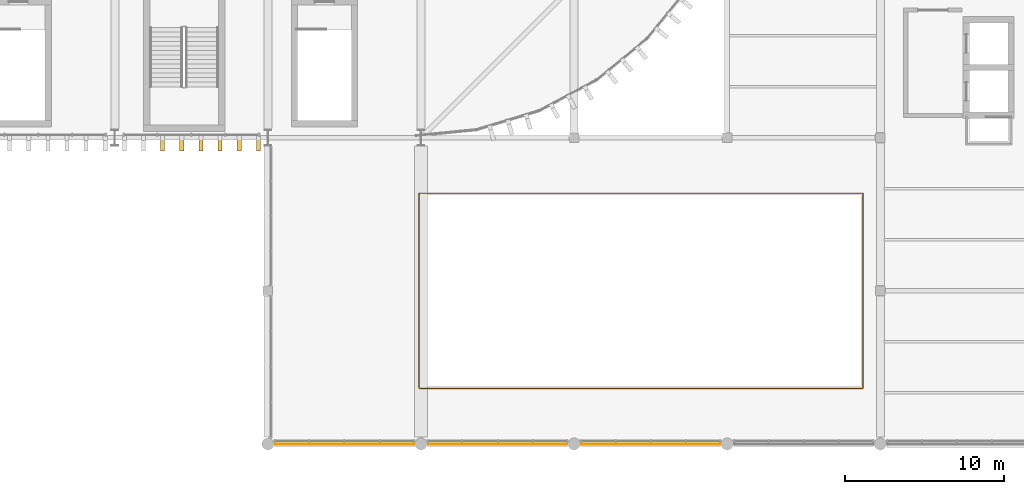
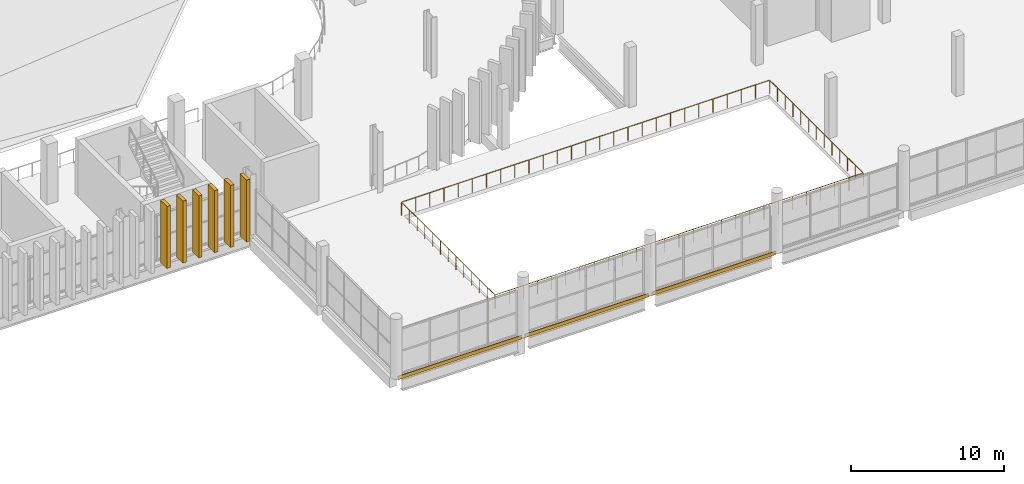
# One storey, part 90 of 99: 9 coverings, 1 railing.
"""IFC4 building model written with IfcOpenShell, lengths in metres."""

from ifc_helpers import new_model, si_unit, direction, frame, origin, origin_2d, place, context, subcontext, project, spatial, rectangle, circle, extrude, material, layer, layer_set, material_profile, profile_set, type_object, element, save


model = new_model("IFC4")

# Units and contexts
model_context = context("Model", 3, precision=1e-05, world=origin(), true_north=direction((0.0, 1.0)))
body_context = subcontext(model_context, "Body", "Model", "MODEL_VIEW")
ifc_project = project(units=[si_unit("LENGTHUNIT", "METRE"), si_unit("AREAUNIT", "SQUARE_METRE"), si_unit("VOLUMEUNIT", "CUBIC_METRE"), si_unit("PLANEANGLEUNIT", "RADIAN"), si_unit("MASSUNIT", "GRAM", prefix="KILO")], contexts=[model_context])

# Site, building, storey
site_placement = place(None, origin())
site = spatial("IfcSite", under=ifc_project, at=site_placement, CompositionType="ELEMENT")
building_placement = place(site_placement, origin())
building = spatial("IfcBuilding", under=site, at=building_placement, Name="Caelomonte Colonnade Arena", CompositionType="ELEMENT")
storey_placement = place(building_placement, frame((0.0, 0.0, 4.800048828125)))
storey = spatial("IfcBuildingStorey", under=building, at=storey_placement, Name="L01", CompositionType="ELEMENT", Elevation=4.800048828125)

# Coverings
ifc_material_1 = material(Name="Travertine ashlar limestone cladding", Category="masonry")
ifc_layer = layer(ifc_material_1, 0.06005859375)
ifc_layer_set = layer_set([ifc_layer], Name="Travertine ashlar limestone cladding")
covering_type_1 = type_object("IfcCoveringType", Name="ENV-CV-CLAD1", PredefinedType="CLADDING", material=ifc_layer_set)
for number, where, z_axis, x_axis, name in (
    (1, (139.199951171875, -0.02001953125, -0.2900390625), (0.0, 0.0, 1.0), (1.0, 0.0, 0.0), "Portico limestone entablature cladding L01-1"),
    (2, (148.800048828125, -0.02001953125, -0.2900390625), (0.0, 0.0, 1.0), (1.0, 0.0, 0.0), "Portico limestone entablature cladding L01-2"),
    (3, (158.39990234375, -0.02001953125, -0.2900390625), (0.0, 0.0, 1.0), (1.0, 0.0, 0.0), "Portico limestone entablature cladding L01-3"),
):
    element("IfcCovering", number, at=place(storey_placement, frame(where, z_axis=z_axis, x_axis=x_axis)), inside=storey, type_object=covering_type_1, Name=name, PredefinedType="CLADDING", context=body_context, shape_type="SweptSolid", body=[
        extrude(rectangle(XDim=9.39990234375, YDim=0.06005859375, at=origin_2d()), origin(), (0.0, 0.0, 1.0), 0.280029296875),
    ])
ifc_material_2 = material(Name="Precast travertine cladding", Category="masonry")
ifc_material_profile = material_profile(ifc_material_2, rectangle(XDim=0.260009765625, YDim=0.85009765625, at=origin_2d()), Name="FIN260X850")
ifc_profile_set = profile_set([ifc_material_profile], Name="Precast travertine cladding")
covering_type_2 = type_object("IfcCoveringType", Name="ENV-FN-SHAFT", PredefinedType="CLADDING", material=ifc_profile_set)
for number, where, z_axis, x_axis, name in (
    (4, (127.800048828125, 18.779052734375, -0.16015625), (0.0, 0.0, 1.0), (-1.0, 0.0, 0.0), "V1 L01 classical travertine vertical fin 280"),
    (5, (129.0, 18.779052734375, -0.16015625), (0.0, 0.0, 1.0), (-1.0, 0.0, 0.0), "V1 L01 classical travertine vertical fin 281"),
    (6, (130.199951171875, 18.779052734375, -0.16015625), (0.0, 0.0, 1.0), (-1.0, 0.0, 0.0), "V1 L01 classical travertine vertical fin 282"),
    (7, (131.39990234375, 18.779052734375, -0.16015625), (0.0, 0.0, 1.0), (-1.0, 0.0, 0.0), "V1 L01 classical travertine vertical fin 283"),
    (8, (132.60009765625, 18.779052734375, -0.16015625), (0.0, 0.0, 1.0), (-1.0, 0.0, 0.0), "V1 L01 classical travertine vertical fin 284"),
    (9, (133.800048828125, 18.779052734375, -0.16015625), (0.0, 0.0, 1.0), (-1.0, 0.0, 0.0), "V1 L01 classical travertine vertical fin 285"),
):
    element("IfcCovering", number, at=place(storey_placement, frame(where, z_axis=z_axis, x_axis=x_axis)), inside=storey, type_object=covering_type_2, Name=name, PredefinedType="CLADDING", context=body_context, shape_type="SweptSolid", body=[
        extrude(rectangle(XDim=0.260009765625, YDim=0.85009765625, at=origin_2d()), origin(), (0.0, 0.0, 1.0), 4.960205078125),
    ])

# Railing
ifc_material_3 = material(Name="Painted galvanized steel handrail and posts", Category="steel")
railing_type = type_object("IfcRailingType", Name="ENV-RL-GRD1", PredefinedType="GUARDRAIL", material=ifc_material_3)
railing_placement = place(storey_placement, frame((171.719970703125, 3.47998046875, 0.0)))
element("IfcRailing", 10, at=railing_placement, inside=storey, type_object=railing_type, Name="Entrance foyer balcony guard 1", PredefinedType="GUARDRAIL", context=body_context, shape_type="SweptSolid", body=[
    extrude(circle(Radius=0.02392578125, at=origin_2d()), frame((0.0, 0.03125, 1.076171875), z_axis=(0.0, 1.0, 0.0), x_axis=(-1.0, 0.0, 0.0)), (0.0, 0.0, 1.0), 12.177490234375),
    extrude(circle(Radius=0.02392578125, at=origin_2d()), frame((-0.03125, 12.239990234375, 1.076171875), z_axis=(-1.0, 0.0, 0.0), x_axis=(0.0, -1.0, 0.0)), (0.0, 0.0, 1.0), 27.777587890625),
    extrude(circle(Radius=0.02392578125, at=origin_2d()), frame((-27.840087890625, 12.208740234375, 1.076171875), z_axis=(0.0, -1.0, 0.0), x_axis=(1.0, 0.0, 0.0)), (0.0, 0.0, 1.0), 12.177490234375),
    extrude(circle(Radius=0.02392578125, at=origin_2d()), frame((-27.808837890625, 0.0, 1.076171875), z_axis=(1.0, 0.0, 0.0), x_axis=(0.0, 1.0, 0.0)), (0.0, 0.0, 1.0), 27.777587890625),
    extrude(circle(Radius=0.02099609375, at=origin_2d()), origin(), (0.0, 0.0, 1.0), 1.048095703125),
    extrude(circle(Radius=0.02099609375, at=origin_2d()), frame((0.0, 1.02001953125, 0.0)), (0.0, 0.0, 1.0), 1.048095703125),
    extrude(circle(Radius=0.02099609375, at=origin_2d()), frame((0.0, 2.0400390625, 0.0)), (0.0, 0.0, 1.0), 1.048095703125),
    extrude(circle(Radius=0.02099609375, at=origin_2d()), frame((0.0, 3.06005859375, 0.0)), (0.0, 0.0, 1.0), 1.048095703125),
    extrude(circle(Radius=0.02099609375, at=origin_2d()), frame((0.0, 4.080078125, 0.0)), (0.0, 0.0, 1.0), 1.048095703125),
    extrude(circle(Radius=0.02099609375, at=origin_2d()), frame((0.0, 5.10009765625, 0.0)), (0.0, 0.0, 1.0), 1.048095703125),
    extrude(circle(Radius=0.02099609375, at=origin_2d()), frame((0.0, 6.1201171875, 0.0)), (0.0, 0.0, 1.0), 1.048095703125),
    extrude(circle(Radius=0.02099609375, at=origin_2d()), frame((0.0, 7.139892578125, 0.0)), (0.0, 0.0, 1.0), 1.048095703125),
    extrude(circle(Radius=0.02099609375, at=origin_2d()), frame((0.0, 8.159912109375, 0.0)), (0.0, 0.0, 1.0), 1.048095703125),
    extrude(circle(Radius=0.02099609375, at=origin_2d()), frame((0.0, 9.179931640625, 0.0)), (0.0, 0.0, 1.0), 1.048095703125),
    extrude(circle(Radius=0.02099609375, at=origin_2d()), frame((0.0, 10.199951171875, 0.0)), (0.0, 0.0, 1.0), 1.048095703125),
    extrude(circle(Radius=0.02099609375, at=origin_2d()), frame((0.0, 11.219970703125, 0.0)), (0.0, 0.0, 1.0), 1.048095703125),
    extrude(circle(Radius=0.02099609375, at=origin_2d()), frame((0.0, 12.239990234375, 0.0)), (0.0, 0.0, 1.0), 1.048095703125),
    extrude(circle(Radius=0.02099609375, at=origin_2d()), frame((-1.07080078125, 12.239990234375, 0.0)), (0.0, 0.0, 1.0), 1.048095703125),
    extrude(circle(Radius=0.02099609375, at=origin_2d()), frame((-2.1416015625, 12.239990234375, 0.0)), (0.0, 0.0, 1.0), 1.048095703125),
    extrude(circle(Radius=0.02099609375, at=origin_2d()), frame((-3.21240234375, 12.239990234375, 0.0)), (0.0, 0.0, 1.0), 1.048095703125),
    extrude(circle(Radius=0.02099609375, at=origin_2d()), frame((-4.283203125, 12.239990234375, 0.0)), (0.0, 0.0, 1.0), 1.048095703125),
    extrude(circle(Radius=0.02099609375, at=origin_2d()), frame((-5.353759765625, 12.239990234375, 0.0)), (0.0, 0.0, 1.0), 1.048095703125),
    extrude(circle(Radius=0.02099609375, at=origin_2d()), frame((-6.424560546875, 12.239990234375, 0.0)), (0.0, 0.0, 1.0), 1.048095703125),
    extrude(circle(Radius=0.02099609375, at=origin_2d()), frame((-7.495361328125, 12.239990234375, 0.0)), (0.0, 0.0, 1.0), 1.048095703125),
    extrude(circle(Radius=0.02099609375, at=origin_2d()), frame((-8.566162109375, 12.239990234375, 0.0)), (0.0, 0.0, 1.0), 1.048095703125),
    extrude(circle(Radius=0.02099609375, at=origin_2d()), frame((-9.636962890625, 12.239990234375, 0.0)), (0.0, 0.0, 1.0), 1.048095703125),
    extrude(circle(Radius=0.02099609375, at=origin_2d()), frame((-10.707763671875, 12.239990234375, 0.0)), (0.0, 0.0, 1.0), 1.048095703125),
    extrude(circle(Radius=0.02099609375, at=origin_2d()), frame((-11.778564453125, 12.239990234375, 0.0)), (0.0, 0.0, 1.0), 1.048095703125),
    extrude(circle(Radius=0.02099609375, at=origin_2d()), frame((-12.849365234375, 12.239990234375, 0.0)), (0.0, 0.0, 1.0), 1.048095703125),
    extrude(circle(Radius=0.02099609375, at=origin_2d()), frame((-13.919921875, 12.239990234375, 0.0)), (0.0, 0.0, 1.0), 1.048095703125),
    extrude(circle(Radius=0.02099609375, at=origin_2d()), frame((-14.99072265625, 12.239990234375, 0.0)), (0.0, 0.0, 1.0), 1.048095703125),
    extrude(circle(Radius=0.02099609375, at=origin_2d()), frame((-16.0615234375, 12.239990234375, 0.0)), (0.0, 0.0, 1.0), 1.048095703125),
    extrude(circle(Radius=0.02099609375, at=origin_2d()), frame((-17.13232421875, 12.239990234375, 0.0)), (0.0, 0.0, 1.0), 1.048095703125),
    extrude(circle(Radius=0.02099609375, at=origin_2d()), frame((-18.203125, 12.239990234375, 0.0)), (0.0, 0.0, 1.0), 1.048095703125),
    extrude(circle(Radius=0.02099609375, at=origin_2d()), frame((-19.27392578125, 12.239990234375, 0.0)), (0.0, 0.0, 1.0), 1.048095703125),
    extrude(circle(Radius=0.02099609375, at=origin_2d()), frame((-20.3447265625, 12.239990234375, 0.0)), (0.0, 0.0, 1.0), 1.048095703125),
    extrude(circle(Radius=0.02099609375, at=origin_2d()), frame((-21.41552734375, 12.239990234375, 0.0)), (0.0, 0.0, 1.0), 1.048095703125),
    extrude(circle(Radius=0.02099609375, at=origin_2d()), frame((-22.486328125, 12.239990234375, 0.0)), (0.0, 0.0, 1.0), 1.048095703125),
    extrude(circle(Radius=0.02099609375, at=origin_2d()), frame((-23.556884765625, 12.239990234375, 0.0)), (0.0, 0.0, 1.0), 1.048095703125),
    extrude(circle(Radius=0.02099609375, at=origin_2d()), frame((-24.627685546875, 12.239990234375, 0.0)), (0.0, 0.0, 1.0), 1.048095703125),
    extrude(circle(Radius=0.02099609375, at=origin_2d()), frame((-25.698486328125, 12.239990234375, 0.0)), (0.0, 0.0, 1.0), 1.048095703125),
    extrude(circle(Radius=0.02099609375, at=origin_2d()), frame((-26.769287109375, 12.239990234375, 0.0)), (0.0, 0.0, 1.0), 1.048095703125),
    extrude(circle(Radius=0.02099609375, at=origin_2d()), frame((-27.840087890625, 12.239990234375, 0.0)), (0.0, 0.0, 1.0), 1.048095703125),
    extrude(circle(Radius=0.02099609375, at=origin_2d()), frame((-27.840087890625, 11.219970703125, 0.0)), (0.0, 0.0, 1.0), 1.048095703125),
    extrude(circle(Radius=0.02099609375, at=origin_2d()), frame((-27.840087890625, 10.199951171875, 0.0)), (0.0, 0.0, 1.0), 1.048095703125),
    extrude(circle(Radius=0.02099609375, at=origin_2d()), frame((-27.840087890625, 9.179931640625, 0.0)), (0.0, 0.0, 1.0), 1.048095703125),
    extrude(circle(Radius=0.02099609375, at=origin_2d()), frame((-27.840087890625, 8.159912109375, 0.0)), (0.0, 0.0, 1.0), 1.048095703125),
    extrude(circle(Radius=0.02099609375, at=origin_2d()), frame((-27.840087890625, 7.139892578125, 0.0)), (0.0, 0.0, 1.0), 1.048095703125),
    extrude(circle(Radius=0.02099609375, at=origin_2d()), frame((-27.840087890625, 6.1201171875, 0.0)), (0.0, 0.0, 1.0), 1.048095703125),
    extrude(circle(Radius=0.02099609375, at=origin_2d()), frame((-27.840087890625, 5.10009765625, 0.0)), (0.0, 0.0, 1.0), 1.048095703125),
    extrude(circle(Radius=0.02099609375, at=origin_2d()), frame((-27.840087890625, 4.080078125, 0.0)), (0.0, 0.0, 1.0), 1.048095703125),
    extrude(circle(Radius=0.02099609375, at=origin_2d()), frame((-27.840087890625, 3.06005859375, 0.0)), (0.0, 0.0, 1.0), 1.048095703125),
    extrude(circle(Radius=0.02099609375, at=origin_2d()), frame((-27.840087890625, 2.0400390625, 0.0)), (0.0, 0.0, 1.0), 1.048095703125),
    extrude(circle(Radius=0.02099609375, at=origin_2d()), frame((-27.840087890625, 1.02001953125, 0.0)), (0.0, 0.0, 1.0), 1.048095703125),
    extrude(circle(Radius=0.02099609375, at=origin_2d()), frame((-27.840087890625, 0.0, 0.0)), (0.0, 0.0, 1.0), 1.048095703125),
    extrude(circle(Radius=0.02099609375, at=origin_2d()), frame((-26.769287109375, 0.0, 0.0)), (0.0, 0.0, 1.0), 1.048095703125),
    extrude(circle(Radius=0.02099609375, at=origin_2d()), frame((-25.698486328125, 0.0, 0.0)), (0.0, 0.0, 1.0), 1.048095703125),
    extrude(circle(Radius=0.02099609375, at=origin_2d()), frame((-24.627685546875, 0.0, 0.0)), (0.0, 0.0, 1.0), 1.048095703125),
    extrude(circle(Radius=0.02099609375, at=origin_2d()), frame((-23.556884765625, 0.0, 0.0)), (0.0, 0.0, 1.0), 1.048095703125),
    extrude(circle(Radius=0.02099609375, at=origin_2d()), frame((-22.486328125, 0.0, 0.0)), (0.0, 0.0, 1.0), 1.048095703125),
    extrude(circle(Radius=0.02099609375, at=origin_2d()), frame((-21.41552734375, 0.0, 0.0)), (0.0, 0.0, 1.0), 1.048095703125),
    extrude(circle(Radius=0.02099609375, at=origin_2d()), frame((-20.3447265625, 0.0, 0.0)), (0.0, 0.0, 1.0), 1.048095703125),
    extrude(circle(Radius=0.02099609375, at=origin_2d()), frame((-19.27392578125, 0.0, 0.0)), (0.0, 0.0, 1.0), 1.048095703125),
    extrude(circle(Radius=0.02099609375, at=origin_2d()), frame((-18.203125, 0.0, 0.0)), (0.0, 0.0, 1.0), 1.048095703125),
    extrude(circle(Radius=0.02099609375, at=origin_2d()), frame((-17.13232421875, 0.0, 0.0)), (0.0, 0.0, 1.0), 1.048095703125),
    extrude(circle(Radius=0.02099609375, at=origin_2d()), frame((-16.0615234375, 0.0, 0.0)), (0.0, 0.0, 1.0), 1.048095703125),
    extrude(circle(Radius=0.02099609375, at=origin_2d()), frame((-14.99072265625, 0.0, 0.0)), (0.0, 0.0, 1.0), 1.048095703125),
    extrude(circle(Radius=0.02099609375, at=origin_2d()), frame((-13.919921875, 0.0, 0.0)), (0.0, 0.0, 1.0), 1.048095703125),
    extrude(circle(Radius=0.02099609375, at=origin_2d()), frame((-12.849365234375, 0.0, 0.0)), (0.0, 0.0, 1.0), 1.048095703125),
    extrude(circle(Radius=0.02099609375, at=origin_2d()), frame((-11.778564453125, 0.0, 0.0)), (0.0, 0.0, 1.0), 1.048095703125),
    extrude(circle(Radius=0.02099609375, at=origin_2d()), frame((-10.707763671875, 0.0, 0.0)), (0.0, 0.0, 1.0), 1.048095703125),
    extrude(circle(Radius=0.02099609375, at=origin_2d()), frame((-9.636962890625, 0.0, 0.0)), (0.0, 0.0, 1.0), 1.048095703125),
    extrude(circle(Radius=0.02099609375, at=origin_2d()), frame((-8.566162109375, 0.0, 0.0)), (0.0, 0.0, 1.0), 1.048095703125),
    extrude(circle(Radius=0.02099609375, at=origin_2d()), frame((-7.495361328125, 0.0, 0.0)), (0.0, 0.0, 1.0), 1.048095703125),
    extrude(circle(Radius=0.02099609375, at=origin_2d()), frame((-6.424560546875, 0.0, 0.0)), (0.0, 0.0, 1.0), 1.048095703125),
    extrude(circle(Radius=0.02099609375, at=origin_2d()), frame((-5.353759765625, 0.0, 0.0)), (0.0, 0.0, 1.0), 1.048095703125),
    extrude(circle(Radius=0.02099609375, at=origin_2d()), frame((-4.283203125, 0.0, 0.0)), (0.0, 0.0, 1.0), 1.048095703125),
    extrude(circle(Radius=0.02099609375, at=origin_2d()), frame((-3.21240234375, 0.0, 0.0)), (0.0, 0.0, 1.0), 1.048095703125),
    extrude(circle(Radius=0.02099609375, at=origin_2d()), frame((-2.1416015625, 0.0, 0.0)), (0.0, 0.0, 1.0), 1.048095703125),
    extrude(circle(Radius=0.02099609375, at=origin_2d()), frame((-1.07080078125, 0.0, 0.0)), (0.0, 0.0, 1.0), 1.048095703125),
])

save(model, "model.ifc")
